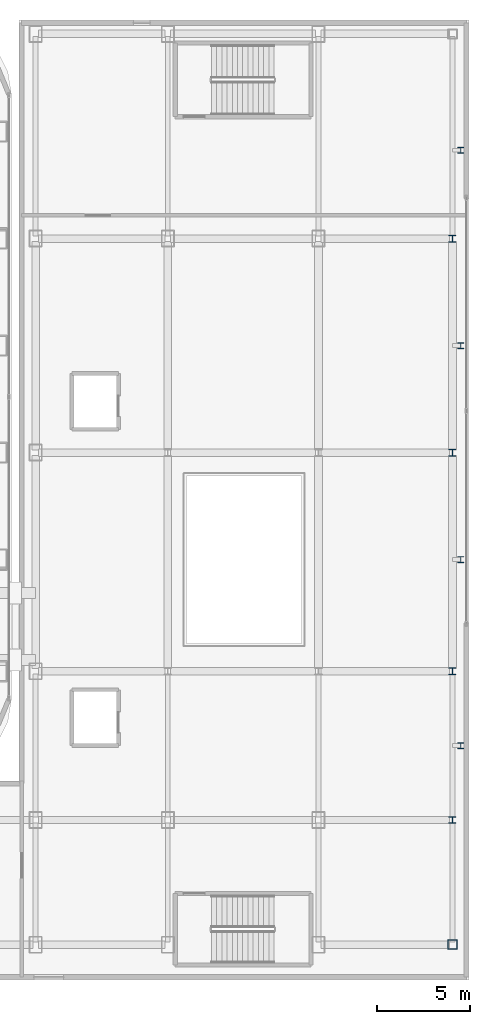
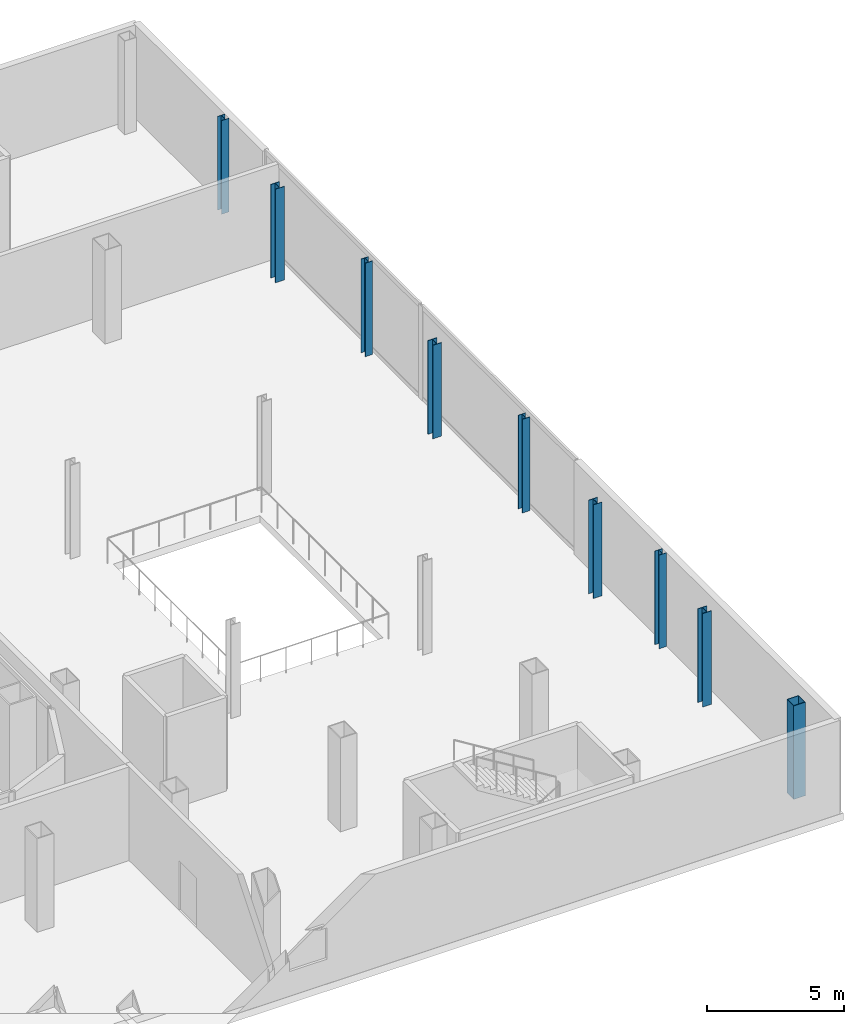
# One storey, part 4 of 26: 9 columns.
"""IFC4 building model written with IfcOpenShell, lengths in metres."""

from ifc_helpers import new_model, si_unit, direction, frame, origin, origin_2d, place, context, subcontext, project, spatial, hollow_rectangle, i_section, extrude, source, transform, mapped, material, material_profile, profile_set, type_object, element, save


model = new_model("IFC4")

# Units and contexts
model_context = context("Model", 3, precision=1e-05, world=origin(), true_north=direction((0.0, 1.0)))
body_context = subcontext(model_context, "Body", "Model", "MODEL_VIEW")
ifc_project = project(units=[si_unit("LENGTHUNIT", "METRE"), si_unit("AREAUNIT", "SQUARE_METRE"), si_unit("VOLUMEUNIT", "CUBIC_METRE"), si_unit("PLANEANGLEUNIT", "RADIAN"), si_unit("MASSUNIT", "GRAM", prefix="KILO")], contexts=[model_context])

# Site, building, storey
site_placement = place(None, origin())
site = spatial("IfcSite", under=ifc_project, at=site_placement, CompositionType="ELEMENT")
building_placement = place(site_placement, origin())
building = spatial("IfcBuilding", under=site, at=building_placement, Name="Kolveth Station Tower", CompositionType="ELEMENT")
storey_placement = place(building_placement, frame((0.0, 0.0, 9.0)))
storey = spatial("IfcBuildingStorey", under=building, at=storey_placement, Name="L02", CompositionType="ELEMENT", Elevation=9.0)

# Columns
ifc_material = material(Name="Steel S355", Category="steel")
ifc_material_profile_1 = material_profile(ifc_material, hollow_rectangle(XDim=0.5, YDim=0.5, WallThickness=0.02490234375, at=origin_2d()), Name="HSS500x500x25")
ifc_profile_set_1 = profile_set([ifc_material_profile_1], Name="Steel S355")
column_type_1 = type_object("IfcColumnType", Name="Col_SC2", PredefinedType="COLUMN", material=ifc_profile_set_1)
shared_shape_1 = source(origin(), body_context, "Body", "SweptSolid", [
    extrude(hollow_rectangle(XDim=0.5, YDim=0.5, WallThickness=0.02490234375, at=origin_2d()), origin(), (0.0, 0.0, 1.0), 4.179931640625),
])
column_placement = place(storey_placement, frame((70.699951171875, -9.199951171875, 0.0), z_axis=(0.0, 0.0, 1.0), x_axis=(1.0, 0.0, 0.0)))
element("IfcColumn", 1, at=column_placement, inside=storey, type_object=column_type_1, Name="L02 Station Column SE-4-1", PredefinedType="COLUMN", context=body_context, shape_type="MappedRepresentation", body=[
    mapped(shared_shape_1, transform((0.0, 0.0, 0.0), x_axis=(1.0, 0.0, 0.0), y_axis=(0.0, 1.0, 0.0), z_axis=(0.0, 0.0, 1.0), scale=1.0)),
])
ifc_material_profile_2 = material_profile(ifc_material, i_section(OverallWidth=0.3740234375, OverallDepth=0.3720703125, WebThickness=0.016357421875, FlangeThickness=0.026123046875, at=origin_2d()), Name="W360x196")
ifc_profile_set_2 = profile_set([ifc_material_profile_2], Name="Steel S355")
column_type_2 = type_object("IfcColumnType", Name="Col_CW2", PredefinedType="COLUMN", material=ifc_profile_set_2)
shared_shape_2 = source(origin(), body_context, "Body", "SweptSolid", [
    extrude(i_section(OverallWidth=0.3740234375, OverallDepth=0.3720703125, WebThickness=0.016357421875, FlangeThickness=0.026123046875, at=origin_2d()), origin(), (0.0, 0.0, 1.0), 4.179931640625),
])
for number, where, z_axis, x_axis, name in (
    (2, (70.699951171875, -2.5, 0.0), (0.0, 0.0, 1.0), (1.0, 0.0, 0.0), "L02 Station Column SE-4-2"),
    (3, (70.699951171875, 5.5, 0.0), (0.0, 0.0, 1.0), (1.0, 0.0, 0.0), "L02 Station Column SE-4-3"),
    (4, (70.699951171875, 17.25, 0.0), (0.0, 0.0, 1.0), (1.0, 0.0, 0.0), "L02 Station Column SE-4-4"),
    (5, (70.699951171875, 28.75, 0.0), (0.0, 0.0, 1.0), (1.0, 0.0, 0.0), "L02 Station Column SE-4-5"),
):
    element("IfcColumn", number, at=place(storey_placement, frame(where, z_axis=z_axis, x_axis=x_axis)), inside=storey, type_object=column_type_2, Name=name, PredefinedType="COLUMN", context=body_context, shape_type="MappedRepresentation", body=[
        mapped(shared_shape_2, transform((0.0, 0.0, 0.0), x_axis=(1.0, 0.0, 0.0), y_axis=(0.0, 1.0, 0.0), z_axis=(0.0, 0.0, 1.0), scale=1.0)),
    ])
ifc_material_profile_3 = material_profile(ifc_material, i_section(OverallWidth=0.30908203125, OverallDepth=0.322998046875, WebThickness=0.013916015625, FlangeThickness=0.02294921875, at=origin_2d()), Name="W310x143")
ifc_profile_set_3 = profile_set([ifc_material_profile_3], Name="Steel S355")
column_type_3 = type_object("IfcColumnType", Name="Col_PL1", PredefinedType="PILASTER", material=ifc_profile_set_3)
shared_shape_3 = source(origin(), body_context, "Body", "SweptSolid", [
    extrude(i_section(OverallWidth=0.30908203125, OverallDepth=0.322998046875, WebThickness=0.013916015625, FlangeThickness=0.02294921875, at=origin_2d()), origin(), (0.0, 0.0, 1.0), 4.179931640625),
])
for number, where, z_axis, x_axis, name in (
    (6, (71.14990234375, 1.5, 0.0), (0.0, 0.0, 1.0), (1.0, 0.0, 0.0), "L02 Station Column SPL-1"),
    (7, (71.14990234375, 11.5, 0.0), (0.0, 0.0, 1.0), (1.0, 0.0, 0.0), "L02 Station Column SPL-2"),
    (8, (71.14990234375, 23.0, 0.0), (0.0, 0.0, 1.0), (1.0, 0.0, 0.0), "L02 Station Column SPL-3"),
    (9, (71.14990234375, 33.5, 0.0), (0.0, 0.0, 1.0), (1.0, 0.0, 0.0), "L02 Station Column SPL-4"),
):
    element("IfcColumn", number, at=place(storey_placement, frame(where, z_axis=z_axis, x_axis=x_axis)), inside=storey, type_object=column_type_3, Name=name, PredefinedType="PILASTER", context=body_context, shape_type="MappedRepresentation", body=[
        mapped(shared_shape_3, transform((0.0, 0.0, 0.0), x_axis=(1.0, 0.0, 0.0), y_axis=(0.0, 1.0, 0.0), z_axis=(0.0, 0.0, 1.0), scale=1.0)),
    ])

save(model, "model.ifc")
